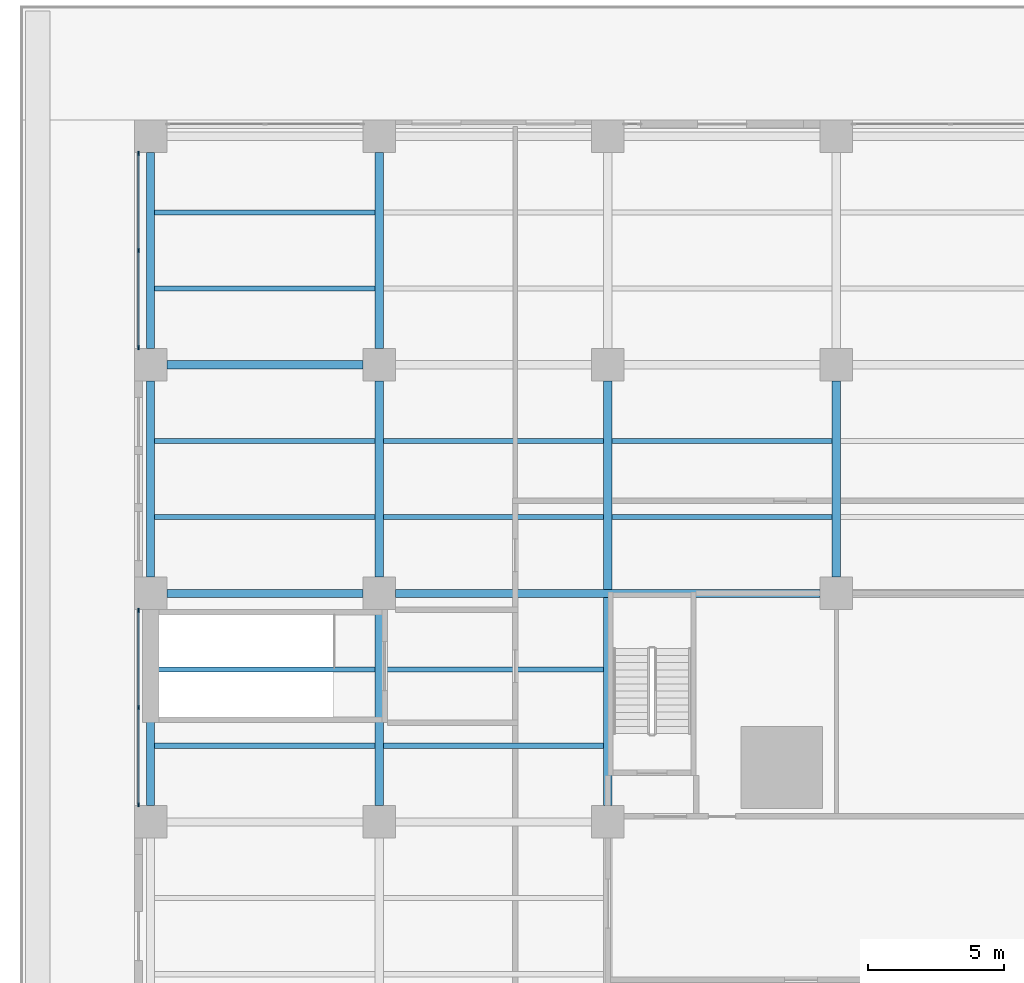
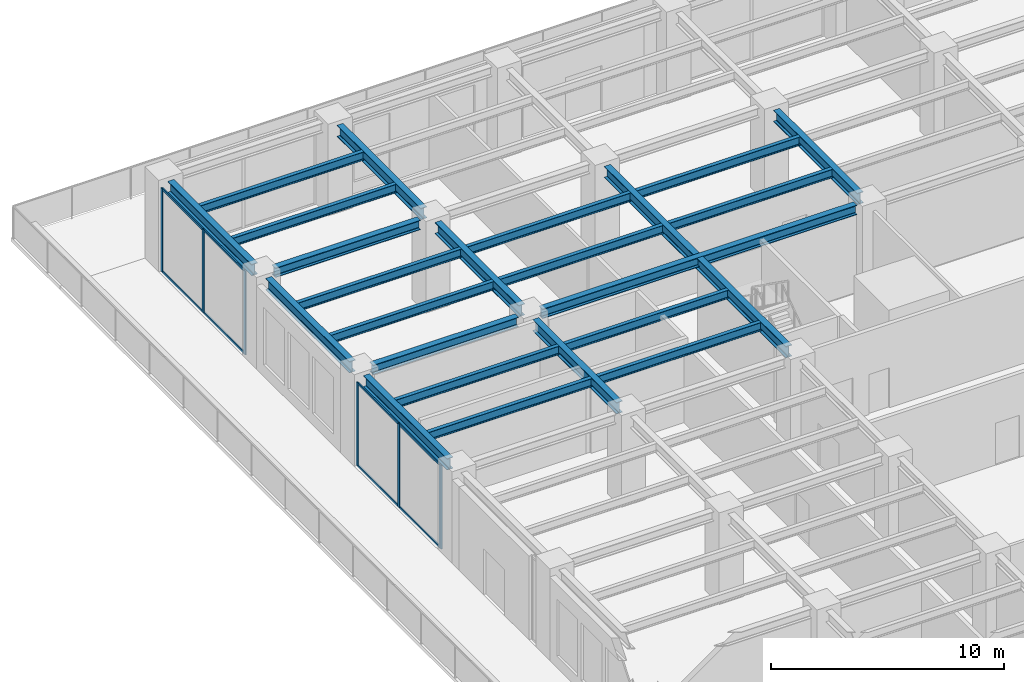
# One storey, part 11 of 53: 23 beams, 14 members, 2 elements without a shape of their own.
"""IFC4 building model written with IfcOpenShell, lengths in metres."""

from ifc_helpers import new_model, si_unit, direction, frame, origin, origin_2d, place, context, subcontext, project, spatial, rectangle, i_section, extrude, material, material_profile, profile_set, type_object, element, aggregate, save


model = new_model("IFC4")

# Units and contexts
model_context = context("Model", 3, precision=1e-05, world=origin(), true_north=direction((0.0, 1.0)))
body_context = subcontext(model_context, "Body", "Model", "MODEL_VIEW")
ifc_project = project(units=[si_unit("LENGTHUNIT", "METRE"), si_unit("AREAUNIT", "SQUARE_METRE"), si_unit("VOLUMEUNIT", "CUBIC_METRE"), si_unit("PLANEANGLEUNIT", "RADIAN"), si_unit("MASSUNIT", "GRAM", prefix="KILO")], contexts=[model_context])

# Site, building, storey
site_placement = place(None, origin())
site = spatial("IfcSite", under=ifc_project, at=site_placement, CompositionType="ELEMENT")
building_placement = place(site_placement, origin())
building = spatial("IfcBuilding", under=site, at=building_placement, Name="Khepri Terraces", CompositionType="ELEMENT")
storey_placement = place(building_placement, frame((0.0, 0.0, 7.199951171875)))
storey = spatial("IfcBuildingStorey", under=building, at=storey_placement, Name="L01", CompositionType="ELEMENT", Elevation=7.199951171875)

# Curtain wall, members
ifc_material_1 = material(Name="Anodised aluminium bronze curtain wall", Category="aluminium")
curtain_wall_type = type_object("IfcCurtainWallType", Name="CW-SYS2-PODIUM", PredefinedType="NOTDEFINED", material=ifc_material_1)
curtain_wall_1_placement = place(storey_placement, origin())
curtain_wall_1 = element("IfcCurtainWall", 1, at=curtain_wall_1_placement, inside=storey, type_object=curtain_wall_type, Name="Curtain wall CW2 L01 W", PredefinedType="NOTDEFINED")
ifc_material_2 = material(Name="Anodised aluminium bronze", Category="aluminium")
ifc_material_profile_1 = material_profile(ifc_material_2, rectangle(XDim=0.06005859375, YDim=0.159912109375, at=origin_2d()), Name="Anodised aluminium bronze", Category="aluminium")
ifc_profile_set_1 = profile_set([ifc_material_profile_1], Name="Anodised aluminium bronze")
member_type_1 = type_object("IfcMemberType", Name="CW-MULLION-60x160", PredefinedType="MULLION", material=ifc_profile_set_1)
member_1_placement = place(storey_placement, frame((-42.449951171875, 41.3701171875, 0.0), z_axis=(0.0, 0.0, 1.0), x_axis=(1.0, 0.0, 0.0)))
member_1 = element("IfcMember", 2, at=member_1_placement, type_object=member_type_1, Name="CW2 mullion 1", PredefinedType="MULLION", context=body_context, shape_type="SweptSolid", body=[
    extrude(rectangle(XDim=0.06005859375, YDim=0.159912109375, at=origin_2d()), origin(), (0.0, 0.0, 1.0), 4.380126953125),
])
member_2_placement = place(storey_placement, frame((-42.449951171875, 37.800048828125, 0.0), z_axis=(0.0, 0.0, 1.0), x_axis=(1.0, 0.0, 0.0)))
member_2 = element("IfcMember", 3, at=member_2_placement, type_object=member_type_1, Name="CW2 mullion 2", PredefinedType="MULLION", context=body_context, shape_type="SweptSolid", body=[
    extrude(rectangle(XDim=0.06005859375, YDim=0.159912109375, at=origin_2d()), origin(), (0.0, 0.0, 1.0), 4.380126953125),
])
member_3_placement = place(storey_placement, frame((-42.449951171875, 34.22998046875, 0.0), z_axis=(0.0, 0.0, 1.0), x_axis=(1.0, 0.0, 0.0)))
member_3 = element("IfcMember", 4, at=member_3_placement, type_object=member_type_1, Name="CW2 mullion 3", PredefinedType="MULLION", context=body_context, shape_type="SweptSolid", body=[
    extrude(rectangle(XDim=0.06005859375, YDim=0.159912109375, at=origin_2d()), origin(), (0.0, 0.0, 1.0), 4.380126953125),
])

curtain_wall_2_placement = place(storey_placement, origin())
curtain_wall_2 = element("IfcCurtainWall", 5, at=curtain_wall_2_placement, inside=storey, type_object=curtain_wall_type, Name="Curtain wall CW2 L01 W", PredefinedType="NOTDEFINED")
member_4_placement = place(storey_placement, frame((-42.449951171875, 24.570068359375, 0.0), z_axis=(0.0, 0.0, 1.0), x_axis=(1.0, 0.0, 0.0)))
member_4 = element("IfcMember", 6, at=member_4_placement, type_object=member_type_1, Name="CW2 mullion 1", PredefinedType="MULLION", context=body_context, shape_type="SweptSolid", body=[
    extrude(rectangle(XDim=0.06005859375, YDim=0.159912109375, at=origin_2d()), origin(), (0.0, 0.0, 1.0), 4.380126953125),
])
member_5_placement = place(storey_placement, frame((-42.449951171875, 21.0, 0.0), z_axis=(0.0, 0.0, 1.0), x_axis=(1.0, 0.0, 0.0)))
member_5 = element("IfcMember", 7, at=member_5_placement, type_object=member_type_1, Name="CW2 mullion 2", PredefinedType="MULLION", context=body_context, shape_type="SweptSolid", body=[
    extrude(rectangle(XDim=0.06005859375, YDim=0.159912109375, at=origin_2d()), origin(), (0.0, 0.0, 1.0), 4.380126953125),
])
member_6_placement = place(storey_placement, frame((-42.449951171875, 17.429931640625, 0.0), z_axis=(0.0, 0.0, 1.0), x_axis=(1.0, 0.0, 0.0)))
member_6 = element("IfcMember", 8, at=member_6_placement, type_object=member_type_1, Name="CW2 mullion 3", PredefinedType="MULLION", context=body_context, shape_type="SweptSolid", body=[
    extrude(rectangle(XDim=0.06005859375, YDim=0.159912109375, at=origin_2d()), origin(), (0.0, 0.0, 1.0), 4.380126953125),
])

# Member
ifc_material_profile_2 = material_profile(ifc_material_2, rectangle(XDim=0.06005859375, YDim=0.1201171875, at=origin_2d()), Name="Anodised aluminium bronze", Category="aluminium")
ifc_profile_set_2 = profile_set([ifc_material_profile_2], Name="Anodised aluminium bronze")
member_type_2 = type_object("IfcMemberType", Name="CW-TRANSOM-60x120", PredefinedType="USERDEFINED", material=ifc_profile_set_2)
member_7_placement = place(storey_placement, frame((-42.449951171875, 41.340087890625, 0.030029296875), z_axis=(0.0, -1.0, 0.0), x_axis=(1.0, 0.0, 0.0)))
member_7 = element("IfcMember", 9, at=member_7_placement, type_object=member_type_2, Name="CW2 transom 1.1", ObjectType="TRANSOM", PredefinedType="USERDEFINED", context=body_context, shape_type="SweptSolid", body=[
    extrude(rectangle(XDim=0.06005859375, YDim=0.1201171875, at=origin_2d()), origin(), (0.0, 0.0, 1.0), 3.510009765625),
])

member_8_placement = place(storey_placement, frame((-42.449951171875, 41.340087890625, 4.35009765625), z_axis=(0.0, -1.0, 0.0), x_axis=(1.0, 0.0, 0.0)))
member_8 = element("IfcMember", 10, at=member_8_placement, type_object=member_type_2, Name="CW2 transom 1.2", ObjectType="TRANSOM", PredefinedType="USERDEFINED", context=body_context, shape_type="SweptSolid", body=[
    extrude(rectangle(XDim=0.06005859375, YDim=0.1201171875, at=origin_2d()), origin(), (0.0, 0.0, 1.0), 3.510009765625),
])

member_9_placement = place(storey_placement, frame((-42.449951171875, 37.77001953125, 0.030029296875), z_axis=(0.0, -1.0, 0.0), x_axis=(1.0, 0.0, 0.0)))
member_9 = element("IfcMember", 11, at=member_9_placement, type_object=member_type_2, Name="CW2 transom 2.1", ObjectType="TRANSOM", PredefinedType="USERDEFINED", context=body_context, shape_type="SweptSolid", body=[
    extrude(rectangle(XDim=0.06005859375, YDim=0.1201171875, at=origin_2d()), origin(), (0.0, 0.0, 1.0), 3.510009765625),
])

member_10_placement = place(storey_placement, frame((-42.449951171875, 37.77001953125, 4.35009765625), z_axis=(0.0, -1.0, 0.0), x_axis=(1.0, 0.0, 0.0)))
member_10 = element("IfcMember", 12, at=member_10_placement, type_object=member_type_2, Name="CW2 transom 2.2", ObjectType="TRANSOM", PredefinedType="USERDEFINED", context=body_context, shape_type="SweptSolid", body=[
    extrude(rectangle(XDim=0.06005859375, YDim=0.1201171875, at=origin_2d()), origin(), (0.0, 0.0, 1.0), 3.510009765625),
])

aggregate(curtain_wall_1, [member_1, member_2, member_3, member_7, member_8, member_9, member_10])

member_11_placement = place(storey_placement, frame((-42.449951171875, 24.5400390625, 0.030029296875), z_axis=(0.0, -1.0, 0.0), x_axis=(1.0, 0.0, 0.0)))
member_11 = element("IfcMember", 13, at=member_11_placement, type_object=member_type_2, Name="CW2 transom 1.1", ObjectType="TRANSOM", PredefinedType="USERDEFINED", context=body_context, shape_type="SweptSolid", body=[
    extrude(rectangle(XDim=0.06005859375, YDim=0.1201171875, at=origin_2d()), origin(), (0.0, 0.0, 1.0), 3.510009765625),
])

member_12_placement = place(storey_placement, frame((-42.449951171875, 24.5400390625, 4.35009765625), z_axis=(0.0, -1.0, 0.0), x_axis=(1.0, 0.0, 0.0)))
member_12 = element("IfcMember", 14, at=member_12_placement, type_object=member_type_2, Name="CW2 transom 1.2", ObjectType="TRANSOM", PredefinedType="USERDEFINED", context=body_context, shape_type="SweptSolid", body=[
    extrude(rectangle(XDim=0.06005859375, YDim=0.1201171875, at=origin_2d()), origin(), (0.0, 0.0, 1.0), 3.510009765625),
])

member_13_placement = place(storey_placement, frame((-42.449951171875, 20.969970703125, 0.030029296875), z_axis=(0.0, -1.0, 0.0), x_axis=(1.0, 0.0, 0.0)))
member_13 = element("IfcMember", 15, at=member_13_placement, type_object=member_type_2, Name="CW2 transom 2.1", ObjectType="TRANSOM", PredefinedType="USERDEFINED", context=body_context, shape_type="SweptSolid", body=[
    extrude(rectangle(XDim=0.06005859375, YDim=0.1201171875, at=origin_2d()), origin(), (0.0, 0.0, 1.0), 3.510009765625),
])

member_14_placement = place(storey_placement, frame((-42.449951171875, 20.969970703125, 4.35009765625), z_axis=(0.0, -1.0, 0.0), x_axis=(1.0, 0.0, 0.0)))
member_14 = element("IfcMember", 16, at=member_14_placement, type_object=member_type_2, Name="CW2 transom 2.2", ObjectType="TRANSOM", PredefinedType="USERDEFINED", context=body_context, shape_type="SweptSolid", body=[
    extrude(rectangle(XDim=0.06005859375, YDim=0.1201171875, at=origin_2d()), origin(), (0.0, 0.0, 1.0), 3.510009765625),
])

aggregate(curtain_wall_2, [member_4, member_5, member_6, member_11, member_12, member_13, member_14])

# Beams
ifc_material_3 = material(Name="Steel S355", Category="steel")
ifc_material_profile_3 = material_profile(ifc_material_3, i_section(OverallWidth=0.300048828125, OverallDepth=0.60009765625, WebThickness=0.015380859375, FlangeThickness=0.030029296875, FilletRadius=0.027099609375, at=origin_2d()), Name="Steel S355", Category="steel")
ifc_profile_set_3 = profile_set([ifc_material_profile_3], Name="Steel S355")
beam_type_1 = type_object("IfcBeamType", Name="Podium girder L02 HEB 600", PredefinedType="BEAM", material=ifc_profile_set_3)
beam_1_placement = place(storey_placement, frame((-42.0, 17.39990234375, 4.300048828125), z_axis=(0.0, 1.0, 0.0), x_axis=(-1.0, 0.0, 0.0)))
element("IfcBeam", 17, at=beam_1_placement, inside=storey, type_object=beam_type_1, Name="Podium girder L02 008", PredefinedType="BEAM", context=body_context, shape_type="SweptSolid", body=[
    extrude(i_section(OverallWidth=0.300048828125, OverallDepth=0.60009765625, WebThickness=0.015380859375, FlangeThickness=0.030029296875, FilletRadius=0.027099609375, at=origin_2d()), origin(), (0.0, 0.0, 1.0), 7.2001953125),
])
for number, where, z_axis, x_axis, name in (
    (18, (-42.0, 25.800048828125, 4.300048828125), (0.0, 1.0, 0.0), (-1.0, 0.0, 0.0), "Podium girder L02 009"),
    (19, (-42.0, 34.199951171875, 4.300048828125), (0.0, 1.0, 0.0), (-1.0, 0.0, 0.0), "Podium girder L02 010"),
):
    element("IfcBeam", number, at=place(storey_placement, frame(where, z_axis=z_axis, x_axis=x_axis)), inside=storey, type_object=beam_type_1, Name=name, PredefinedType="BEAM", context=body_context, shape_type="SweptSolid", body=[
        extrude(i_section(OverallWidth=0.300048828125, OverallDepth=0.60009765625, WebThickness=0.015380859375, FlangeThickness=0.030029296875, FilletRadius=0.027099609375, at=origin_2d()), origin(), (0.0, 0.0, 1.0), 7.199951171875),
    ])
beam_2_placement = place(storey_placement, frame((-33.60009765625, 17.39990234375, 4.300048828125), z_axis=(0.0, 1.0, 0.0), x_axis=(-1.0, 0.0, 0.0)))
element("IfcBeam", 20, at=beam_2_placement, inside=storey, type_object=beam_type_1, Name="Podium girder L02 018", PredefinedType="BEAM", context=body_context, shape_type="SweptSolid", body=[
    extrude(i_section(OverallWidth=0.300048828125, OverallDepth=0.60009765625, WebThickness=0.015380859375, FlangeThickness=0.030029296875, FilletRadius=0.027099609375, at=origin_2d()), origin(), (0.0, 0.0, 1.0), 7.2001953125),
])
for number, where, z_axis, x_axis, name in (
    (21, (-33.60009765625, 25.800048828125, 4.300048828125), (0.0, 1.0, 0.0), (-1.0, 0.0, 0.0), "Podium girder L02 019"),
    (22, (-33.60009765625, 34.199951171875, 4.300048828125), (0.0, 1.0, 0.0), (-1.0, 0.0, 0.0), "Podium girder L02 020"),
):
    element("IfcBeam", number, at=place(storey_placement, frame(where, z_axis=z_axis, x_axis=x_axis)), inside=storey, type_object=beam_type_1, Name=name, PredefinedType="BEAM", context=body_context, shape_type="SweptSolid", body=[
        extrude(i_section(OverallWidth=0.300048828125, OverallDepth=0.60009765625, WebThickness=0.015380859375, FlangeThickness=0.030029296875, FilletRadius=0.027099609375, at=origin_2d()), origin(), (0.0, 0.0, 1.0), 7.199951171875),
    ])
beam_3_placement = place(storey_placement, frame((-25.199951171875, 17.39990234375, 4.300048828125), z_axis=(0.0, 1.0, 0.0), x_axis=(-1.0, 0.0, 0.0)))
element("IfcBeam", 23, at=beam_3_placement, inside=storey, type_object=beam_type_1, Name="Podium girder L02 027", PredefinedType="BEAM", context=body_context, shape_type="SweptSolid", body=[
    extrude(i_section(OverallWidth=0.300048828125, OverallDepth=0.60009765625, WebThickness=0.015380859375, FlangeThickness=0.030029296875, FilletRadius=0.027099609375, at=origin_2d()), origin(), (0.0, 0.0, 1.0), 15.60009765625),
])
beam_4_placement = place(storey_placement, frame((-16.800048828125, 25.800048828125, 4.300048828125), z_axis=(0.0, 1.0, 0.0), x_axis=(-1.0, 0.0, 0.0)))
element("IfcBeam", 24, at=beam_4_placement, inside=storey, type_object=beam_type_1, Name="Podium girder L02 031", PredefinedType="BEAM", context=body_context, shape_type="SweptSolid", body=[
    extrude(i_section(OverallWidth=0.300048828125, OverallDepth=0.60009765625, WebThickness=0.015380859375, FlangeThickness=0.030029296875, FilletRadius=0.027099609375, at=origin_2d()), origin(), (0.0, 0.0, 1.0), 7.199951171875),
])
ifc_material_profile_4 = material_profile(ifc_material_3, i_section(OverallWidth=0.300048828125, OverallDepth=0.5, WebThickness=0.014404296875, FlangeThickness=0.028076171875, FilletRadius=0.027099609375, at=origin_2d()), Name="Steel S355", Category="steel")
ifc_profile_set_4 = profile_set([ifc_material_profile_4], Name="Steel S355")
beam_type_2 = type_object("IfcBeamType", Name="Podium girder L02 grid line HEB 500", PredefinedType="BEAM", material=ifc_profile_set_4)
beam_5_placement = place(storey_placement, frame((-41.39990234375, 25.199951171875, 4.35009765625), z_axis=(1.0, 0.0, 0.0), x_axis=(0.0, 1.0, 0.0)))
element("IfcBeam", 25, at=beam_5_placement, inside=storey, type_object=beam_type_2, Name="Podium grid-line girder L02 137", PredefinedType="BEAM", context=body_context, shape_type="SweptSolid", body=[
    extrude(i_section(OverallWidth=0.300048828125, OverallDepth=0.5, WebThickness=0.014404296875, FlangeThickness=0.028076171875, FilletRadius=0.027099609375, at=origin_2d()), origin(), (0.0, 0.0, 1.0), 7.199951171875),
])
beam_6_placement = place(storey_placement, frame((-33.0, 25.199951171875, 4.35009765625), z_axis=(1.0, 0.0, 0.0), x_axis=(0.0, 1.0, 0.0)))
element("IfcBeam", 26, at=beam_6_placement, inside=storey, type_object=beam_type_2, Name="Podium grid-line girder L02 138", PredefinedType="BEAM", context=body_context, shape_type="SweptSolid", body=[
    extrude(i_section(OverallWidth=0.300048828125, OverallDepth=0.5, WebThickness=0.014404296875, FlangeThickness=0.028076171875, FilletRadius=0.027099609375, at=origin_2d()), origin(), (0.0, 0.0, 1.0), 15.60009765625),
])
beam_7_placement = place(storey_placement, frame((-41.39990234375, 33.60009765625, 4.35009765625), z_axis=(1.0, 0.0, 0.0), x_axis=(0.0, 1.0, 0.0)))
element("IfcBeam", 27, at=beam_7_placement, inside=storey, type_object=beam_type_2, Name="Podium grid-line girder L02 165", PredefinedType="BEAM", context=body_context, shape_type="SweptSolid", body=[
    extrude(i_section(OverallWidth=0.300048828125, OverallDepth=0.5, WebThickness=0.014404296875, FlangeThickness=0.028076171875, FilletRadius=0.027099609375, at=origin_2d()), origin(), (0.0, 0.0, 1.0), 7.199951171875),
])
ifc_material_profile_5 = material_profile(ifc_material_3, i_section(OverallWidth=0.18994140625, OverallDepth=0.449951171875, WebThickness=0.009521484375, FlangeThickness=0.0146484375, FilletRadius=0.02099609375, at=origin_2d()), Name="Steel S355", Category="steel")
ifc_profile_set_5 = profile_set([ifc_material_profile_5], Name="Steel S355")
beam_type_3 = type_object("IfcBeamType", Name="Podium joist L02 IPE 450", PredefinedType="JOIST", material=ifc_profile_set_5)
beam_8_placement = place(storey_placement, frame((-41.85009765625, 19.60009765625, 4.375), z_axis=(1.0, 0.0, 0.0), x_axis=(0.0, 1.0, 0.0)))
element("IfcBeam", 28, at=beam_8_placement, inside=storey, type_object=beam_type_3, Name="Podium joist L02 129", PredefinedType="JOIST", context=body_context, shape_type="SweptSolid", body=[
    extrude(i_section(OverallWidth=0.18994140625, OverallDepth=0.449951171875, WebThickness=0.009521484375, FlangeThickness=0.0146484375, FilletRadius=0.02099609375, at=origin_2d()), origin(), (0.0, 0.0, 1.0), 8.10009765625),
])
beam_9_placement = place(storey_placement, frame((-33.449951171875, 19.60009765625, 4.375), z_axis=(1.0, 0.0, 0.0), x_axis=(0.0, 1.0, 0.0)))
element("IfcBeam", 29, at=beam_9_placement, inside=storey, type_object=beam_type_3, Name="Podium joist L02 130", PredefinedType="JOIST", context=body_context, shape_type="SweptSolid", body=[
    extrude(i_section(OverallWidth=0.18994140625, OverallDepth=0.449951171875, WebThickness=0.009521484375, FlangeThickness=0.0146484375, FilletRadius=0.02099609375, at=origin_2d()), origin(), (0.0, 0.0, 1.0), 8.099853515625),
])
beam_10_placement = place(storey_placement, frame((-41.85009765625, 22.39990234375, 4.375), z_axis=(1.0, 0.0, 0.0), x_axis=(0.0, 1.0, 0.0)))
element("IfcBeam", 30, at=beam_10_placement, inside=storey, type_object=beam_type_3, Name="Podium joist L02 133", PredefinedType="JOIST", context=body_context, shape_type="SweptSolid", body=[
    extrude(i_section(OverallWidth=0.18994140625, OverallDepth=0.449951171875, WebThickness=0.009521484375, FlangeThickness=0.0146484375, FilletRadius=0.02099609375, at=origin_2d()), origin(), (0.0, 0.0, 1.0), 8.10009765625),
])
beam_11_placement = place(storey_placement, frame((-33.449951171875, 22.39990234375, 4.375), z_axis=(1.0, 0.0, 0.0), x_axis=(0.0, 1.0, 0.0)))
element("IfcBeam", 31, at=beam_11_placement, inside=storey, type_object=beam_type_3, Name="Podium joist L02 134", PredefinedType="JOIST", context=body_context, shape_type="SweptSolid", body=[
    extrude(i_section(OverallWidth=0.18994140625, OverallDepth=0.449951171875, WebThickness=0.009521484375, FlangeThickness=0.0146484375, FilletRadius=0.02099609375, at=origin_2d()), origin(), (0.0, 0.0, 1.0), 8.099853515625),
])
beam_12_placement = place(storey_placement, frame((-41.85009765625, 28.0, 4.375), z_axis=(1.0, 0.0, 0.0), x_axis=(0.0, 1.0, 0.0)))
element("IfcBeam", 32, at=beam_12_placement, inside=storey, type_object=beam_type_3, Name="Podium joist L02 145", PredefinedType="JOIST", context=body_context, shape_type="SweptSolid", body=[
    extrude(i_section(OverallWidth=0.18994140625, OverallDepth=0.449951171875, WebThickness=0.009521484375, FlangeThickness=0.0146484375, FilletRadius=0.02099609375, at=origin_2d()), origin(), (0.0, 0.0, 1.0), 8.10009765625),
])
beam_13_placement = place(storey_placement, frame((-33.449951171875, 28.0, 4.375), z_axis=(1.0, 0.0, 0.0), x_axis=(0.0, 1.0, 0.0)))
element("IfcBeam", 33, at=beam_13_placement, inside=storey, type_object=beam_type_3, Name="Podium joist L02 146", PredefinedType="JOIST", context=body_context, shape_type="SweptSolid", body=[
    extrude(i_section(OverallWidth=0.18994140625, OverallDepth=0.449951171875, WebThickness=0.009521484375, FlangeThickness=0.0146484375, FilletRadius=0.02099609375, at=origin_2d()), origin(), (0.0, 0.0, 1.0), 8.099853515625),
])
for number, where, z_axis, x_axis, name in (
    (34, (-25.050048828125, 28.0, 4.375), (1.0, 0.0, 0.0), (0.0, 1.0, 0.0), "Podium joist L02 147"),
    (35, (-41.85009765625, 30.800048828125, 4.375), (1.0, 0.0, 0.0), (0.0, 1.0, 0.0), "Podium joist L02 155"),
):
    element("IfcBeam", number, at=place(storey_placement, frame(where, z_axis=z_axis, x_axis=x_axis)), inside=storey, type_object=beam_type_3, Name=name, PredefinedType="JOIST", context=body_context, shape_type="SweptSolid", body=[
        extrude(i_section(OverallWidth=0.18994140625, OverallDepth=0.449951171875, WebThickness=0.009521484375, FlangeThickness=0.0146484375, FilletRadius=0.02099609375, at=origin_2d()), origin(), (0.0, 0.0, 1.0), 8.10009765625),
    ])
beam_14_placement = place(storey_placement, frame((-33.449951171875, 30.800048828125, 4.375), z_axis=(1.0, 0.0, 0.0), x_axis=(0.0, 1.0, 0.0)))
element("IfcBeam", 36, at=beam_14_placement, inside=storey, type_object=beam_type_3, Name="Podium joist L02 156", PredefinedType="JOIST", context=body_context, shape_type="SweptSolid", body=[
    extrude(i_section(OverallWidth=0.18994140625, OverallDepth=0.449951171875, WebThickness=0.009521484375, FlangeThickness=0.0146484375, FilletRadius=0.02099609375, at=origin_2d()), origin(), (0.0, 0.0, 1.0), 8.099853515625),
])
for number, where, z_axis, x_axis, name in (
    (37, (-25.050048828125, 30.800048828125, 4.375), (1.0, 0.0, 0.0), (0.0, 1.0, 0.0), "Podium joist L02 157"),
    (38, (-41.85009765625, 36.39990234375, 4.375), (1.0, 0.0, 0.0), (0.0, 1.0, 0.0), "Podium joist L02 175"),
    (39, (-41.85009765625, 39.199951171875, 4.375), (1.0, 0.0, 0.0), (0.0, 1.0, 0.0), "Podium joist L02 185"),
):
    element("IfcBeam", number, at=place(storey_placement, frame(where, z_axis=z_axis, x_axis=x_axis)), inside=storey, type_object=beam_type_3, Name=name, PredefinedType="JOIST", context=body_context, shape_type="SweptSolid", body=[
        extrude(i_section(OverallWidth=0.18994140625, OverallDepth=0.449951171875, WebThickness=0.009521484375, FlangeThickness=0.0146484375, FilletRadius=0.02099609375, at=origin_2d()), origin(), (0.0, 0.0, 1.0), 8.10009765625),
    ])

save(model, "model.ifc")
